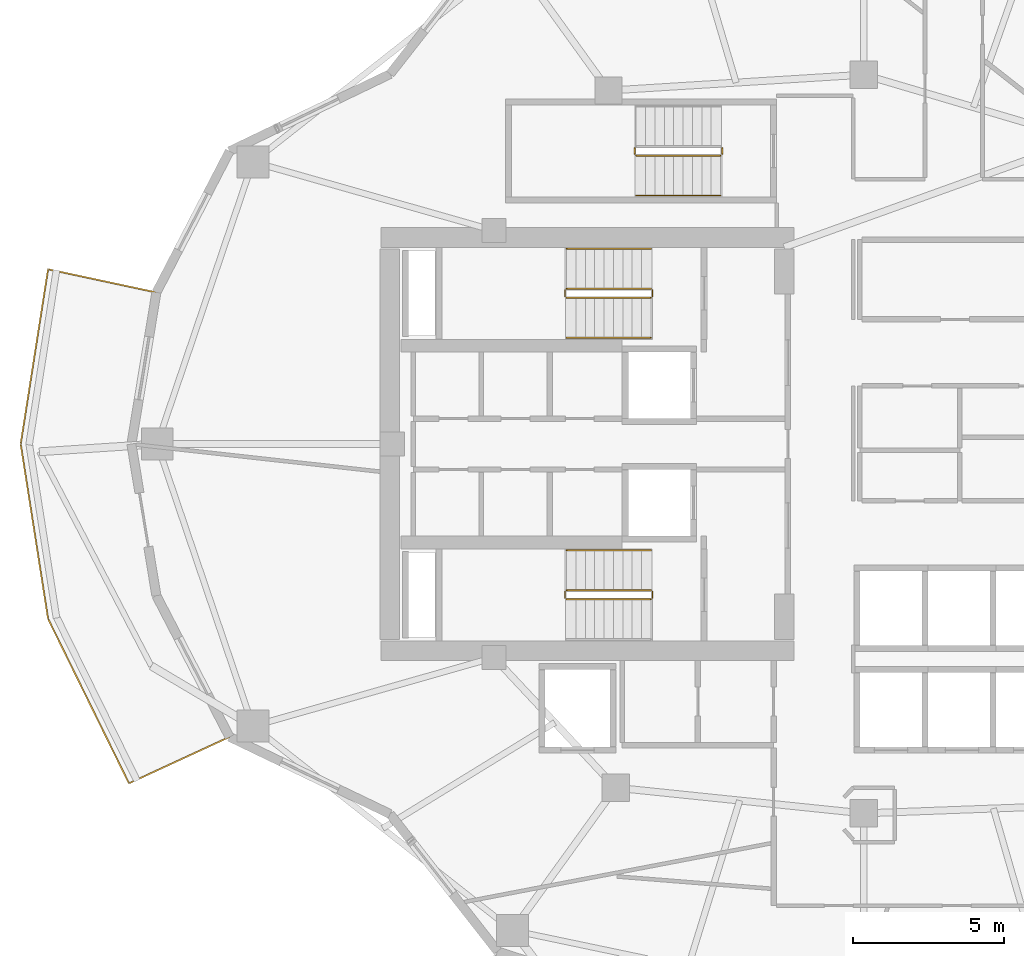
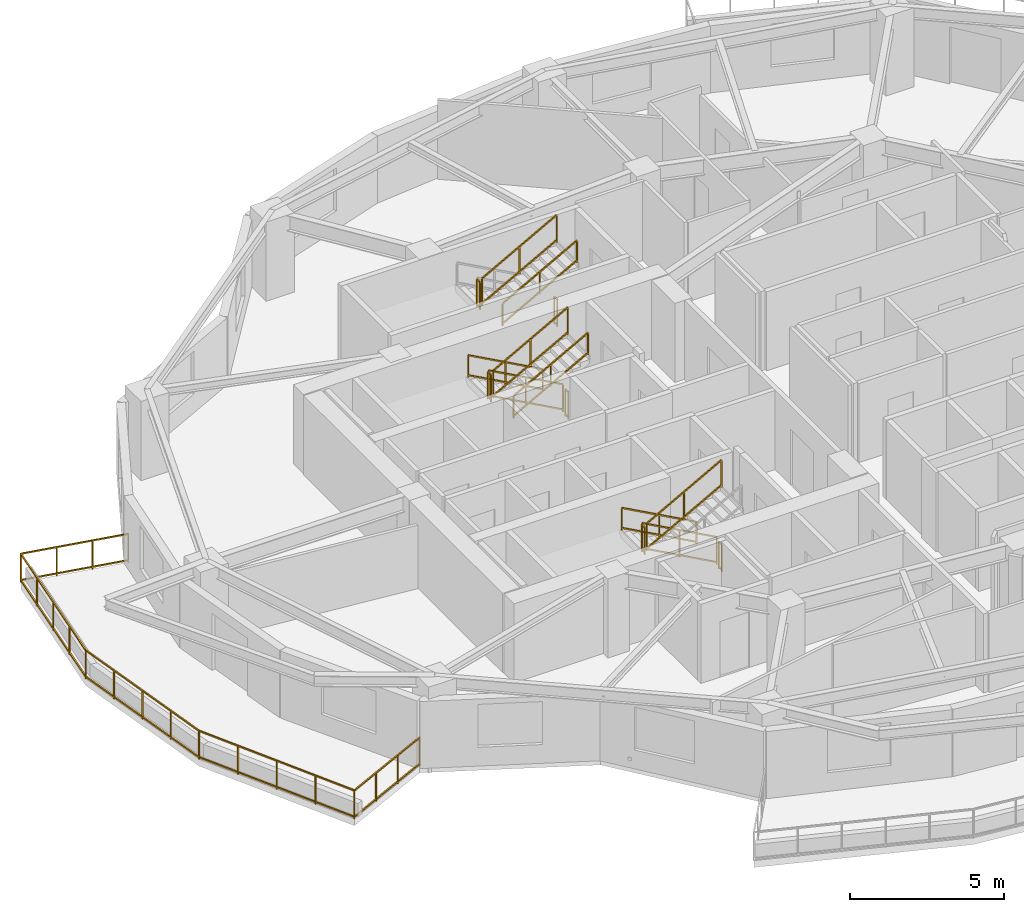
# One storey, part 11 of 14: 16 railings.
"""IFC4 building model written with IfcOpenShell, lengths in metres."""

from ifc_helpers import new_model, si_unit, direction, frame, origin, origin_2d, place, context, subcontext, project, spatial, rectangle, extrude, material, type_object, element, save


model = new_model("IFC4")

# Units and contexts
model_context = context("Model", 3, precision=1e-05, world=origin(), true_north=direction((0.0, 1.0)))
body_context = subcontext(model_context, "Body", "Model", "MODEL_VIEW")
ifc_project = project(units=[si_unit("LENGTHUNIT", "METRE"), si_unit("AREAUNIT", "SQUARE_METRE"), si_unit("VOLUMEUNIT", "CUBIC_METRE"), si_unit("PLANEANGLEUNIT", "RADIAN"), si_unit("MASSUNIT", "GRAM", prefix="KILO")], contexts=[model_context])

# Site, building, storey
site_placement = place(None, origin())
site = spatial("IfcSite", under=ifc_project, at=site_placement, CompositionType="ELEMENT")
building_placement = place(site_placement, origin())
building = spatial("IfcBuilding", under=site, at=building_placement, Name="Kolvaren Gate Tower and Convention Centre", CompositionType="ELEMENT")
storey_placement = place(building_placement, frame((0.0, 0.0, 112.10009765625)))
storey = spatial("IfcBuildingStorey", under=building, at=storey_placement, Name="L27", CompositionType="ELEMENT", Elevation=112.10009765625)

# Railings
ifc_material = material(Name="Brushed Stainless Steel Grade 316L", Category="steel")
railing_type_1 = type_object("IfcRailingType", Name="ARCH-RL-GUARD-1150", PredefinedType="GUARDRAIL", material=ifc_material)
railing_1_placement = place(storey_placement, frame((23.10009765625, 32.1298828125, 0.169921875)))
element("IfcRailing", 1, at=railing_1_placement, inside=storey, type_object=railing_type_1, Name="L27 ST-T1 stair guard 1", PredefinedType="GUARDRAIL", context=body_context, shape_type="SweptSolid", body=[
    extrude(rectangle(XDim=0.048095703125, YDim=0.048095703125, at=origin_2d()), frame((0.0, 0.0, 1.076171875), z_axis=(-0.876811365212, 0.0, 0.480834513982), x_axis=(0.0, -1.0, 0.0)), (0.0, 0.0, 1.0), 3.18212890625),
    extrude(rectangle(XDim=0.048095703125, YDim=0.048095703125, at=origin_2d()), frame((0.0, 0.0, 0.083984375), z_axis=(-0.876811365212, 0.0, 0.480834513982), x_axis=(0.0, -1.0, 0.0)), (0.0, 0.0, 1.0), 3.18212890625),
    extrude(rectangle(XDim=0.0419921875, YDim=0.0419921875, at=origin_2d()), origin(), (0.0, 0.0, 1.0), 1.050048828125),
    extrude(rectangle(XDim=0.0419921875, YDim=0.0419921875, at=origin_2d()), frame((-2.7900390625, 0.0, 1.530029296875)), (0.0, 0.0, 1.0), 1.050048828125),
    extrude(rectangle(XDim=0.0419921875, YDim=0.0419921875, at=origin_2d()), frame((-1.39501953125, 0.0, 0.76513671875)), (0.0, 0.0, 1.0), 1.050048828125),
])
railing_2_placement = place(storey_placement, frame((20.260009765625, 32.080078125, 1.699951171875)))
element("IfcRailing", 2, at=railing_2_placement, inside=storey, type_object=railing_type_1, Name="L27 ST-T1 stair guard 2", PredefinedType="GUARDRAIL", context=body_context, shape_type="SweptSolid", body=[
    extrude(rectangle(XDim=0.048095703125, YDim=0.048095703125, at=origin_2d()), frame((0.0, 0.0, 1.076171875), z_axis=(0.0, -1.0, 0.0), x_axis=(1.0, 0.0, 0.0)), (0.0, 0.0, 1.0), 0.2001953125),
    extrude(rectangle(XDim=0.048095703125, YDim=0.048095703125, at=origin_2d()), frame((0.0, 0.0, 0.083984375), z_axis=(0.0, -1.0, 0.0), x_axis=(1.0, 0.0, 0.0)), (0.0, 0.0, 1.0), 0.2001953125),
    extrude(rectangle(XDim=0.0419921875, YDim=0.0419921875, at=origin_2d()), origin(), (0.0, 0.0, 1.0), 1.050048828125),
    extrude(rectangle(XDim=0.0419921875, YDim=0.0419921875, at=origin_2d()), frame((0.0, -0.2001953125, 0.0)), (0.0, 0.0, 1.0), 1.050048828125),
])
railing_3_placement = place(storey_placement, frame((20.31005859375, 31.830078125, 1.869873046875)))
element("IfcRailing", 3, at=railing_3_placement, inside=storey, type_object=railing_type_1, Name="L27 ST-T1 stair guard 3", PredefinedType="GUARDRAIL", context=body_context, shape_type="SweptSolid", body=[
    extrude(rectangle(XDim=0.048095703125, YDim=0.048095703125, at=origin_2d()), frame((0.0, 0.0, 1.076171875), z_axis=(0.876811365212, 0.0, 0.480834513982), x_axis=(0.0, 1.0, 0.0)), (0.0, 0.0, 1.0), 3.18212890625),
    extrude(rectangle(XDim=0.048095703125, YDim=0.048095703125, at=origin_2d()), frame((0.0, 0.0, 0.083984375), z_axis=(0.876811365212, 0.0, 0.480834513982), x_axis=(0.0, 1.0, 0.0)), (0.0, 0.0, 1.0), 3.18212890625),
    extrude(rectangle(XDim=0.0419921875, YDim=0.0419921875, at=origin_2d()), origin(), (0.0, 0.0, 1.0), 1.050048828125),
    extrude(rectangle(XDim=0.0419921875, YDim=0.0419921875, at=origin_2d()), frame((2.7900390625, 0.0, 1.530029296875)), (0.0, 0.0, 1.0), 1.050048828125),
    extrude(rectangle(XDim=0.0419921875, YDim=0.0419921875, at=origin_2d()), frame((1.39501953125, 0.0, 0.76513671875)), (0.0, 0.0, 1.0), 1.050048828125),
])
railing_4_placement = place(storey_placement, frame((23.14990234375, 32.080078125, 0.0)))
element("IfcRailing", 4, at=railing_4_placement, inside=storey, type_object=railing_type_1, Name="L27 ST-T1 stair guard 4", PredefinedType="GUARDRAIL", context=body_context, shape_type="SweptSolid", body=[
    extrude(rectangle(XDim=0.048095703125, YDim=0.048095703125, at=origin_2d()), frame((0.0, 0.0, 1.076171875), z_axis=(0.0, -1.0, 0.0), x_axis=(1.0, 0.0, 0.0)), (0.0, 0.0, 1.0), 0.2001953125),
    extrude(rectangle(XDim=0.048095703125, YDim=0.048095703125, at=origin_2d()), frame((0.0, 0.0, 0.083984375), z_axis=(0.0, -1.0, 0.0), x_axis=(1.0, 0.0, 0.0)), (0.0, 0.0, 1.0), 0.2001953125),
    extrude(rectangle(XDim=0.0419921875, YDim=0.0419921875, at=origin_2d()), origin(), (0.0, 0.0, 1.0), 1.050048828125),
    extrude(rectangle(XDim=0.0419921875, YDim=0.0419921875, at=origin_2d()), frame((0.0, -0.2001953125, 0.0)), (0.0, 0.0, 1.0), 1.050048828125),
])
railing_5_placement = place(storey_placement, frame((23.10009765625, 22.169921875, 0.169921875)))
element("IfcRailing", 5, at=railing_5_placement, inside=storey, type_object=railing_type_1, Name="L27 ST-T2 stair guard 1", PredefinedType="GUARDRAIL", context=body_context, shape_type="SweptSolid", body=[
    extrude(rectangle(XDim=0.048095703125, YDim=0.048095703125, at=origin_2d()), frame((0.0, 0.0, 1.076171875), z_axis=(-0.876811365212, 0.0, 0.480834513982), x_axis=(0.0, -1.0, 0.0)), (0.0, 0.0, 1.0), 3.18212890625),
    extrude(rectangle(XDim=0.048095703125, YDim=0.048095703125, at=origin_2d()), frame((0.0, 0.0, 0.083984375), z_axis=(-0.876811365212, 0.0, 0.480834513982), x_axis=(0.0, -1.0, 0.0)), (0.0, 0.0, 1.0), 3.18212890625),
    extrude(rectangle(XDim=0.0419921875, YDim=0.0419921875, at=origin_2d()), origin(), (0.0, 0.0, 1.0), 1.050048828125),
    extrude(rectangle(XDim=0.0419921875, YDim=0.0419921875, at=origin_2d()), frame((-2.7900390625, 0.0, 1.530029296875)), (0.0, 0.0, 1.0), 1.050048828125),
    extrude(rectangle(XDim=0.0419921875, YDim=0.0419921875, at=origin_2d()), frame((-1.39501953125, 0.0, 0.76513671875)), (0.0, 0.0, 1.0), 1.050048828125),
])
railing_6_placement = place(storey_placement, frame((20.260009765625, 22.1201171875, 1.699951171875)))
element("IfcRailing", 6, at=railing_6_placement, inside=storey, type_object=railing_type_1, Name="L27 ST-T2 stair guard 2", PredefinedType="GUARDRAIL", context=body_context, shape_type="SweptSolid", body=[
    extrude(rectangle(XDim=0.048095703125, YDim=0.048095703125, at=origin_2d()), frame((0.0, 0.0, 1.076171875), z_axis=(0.0, -1.0, 0.0), x_axis=(1.0, 0.0, 0.0)), (0.0, 0.0, 1.0), 0.2001953125),
    extrude(rectangle(XDim=0.048095703125, YDim=0.048095703125, at=origin_2d()), frame((0.0, 0.0, 0.083984375), z_axis=(0.0, -1.0, 0.0), x_axis=(1.0, 0.0, 0.0)), (0.0, 0.0, 1.0), 0.2001953125),
    extrude(rectangle(XDim=0.0419921875, YDim=0.0419921875, at=origin_2d()), origin(), (0.0, 0.0, 1.0), 1.050048828125),
    extrude(rectangle(XDim=0.0419921875, YDim=0.0419921875, at=origin_2d()), frame((0.0, -0.2001953125, 0.0)), (0.0, 0.0, 1.0), 1.050048828125),
])
railing_7_placement = place(storey_placement, frame((20.31005859375, 21.8701171875, 1.869873046875)))
element("IfcRailing", 7, at=railing_7_placement, inside=storey, type_object=railing_type_1, Name="L27 ST-T2 stair guard 3", PredefinedType="GUARDRAIL", context=body_context, shape_type="SweptSolid", body=[
    extrude(rectangle(XDim=0.048095703125, YDim=0.048095703125, at=origin_2d()), frame((0.0, 0.0, 1.076171875), z_axis=(0.876811365212, 0.0, 0.480834513982), x_axis=(0.0, 1.0, 0.0)), (0.0, 0.0, 1.0), 3.18212890625),
    extrude(rectangle(XDim=0.048095703125, YDim=0.048095703125, at=origin_2d()), frame((0.0, 0.0, 0.083984375), z_axis=(0.876811365212, 0.0, 0.480834513982), x_axis=(0.0, 1.0, 0.0)), (0.0, 0.0, 1.0), 3.18212890625),
    extrude(rectangle(XDim=0.0419921875, YDim=0.0419921875, at=origin_2d()), origin(), (0.0, 0.0, 1.0), 1.050048828125),
    extrude(rectangle(XDim=0.0419921875, YDim=0.0419921875, at=origin_2d()), frame((2.7900390625, 0.0, 1.530029296875)), (0.0, 0.0, 1.0), 1.050048828125),
    extrude(rectangle(XDim=0.0419921875, YDim=0.0419921875, at=origin_2d()), frame((1.39501953125, 0.0, 0.76513671875)), (0.0, 0.0, 1.0), 1.050048828125),
])
railing_8_placement = place(storey_placement, frame((23.14990234375, 22.1201171875, 0.0)))
element("IfcRailing", 8, at=railing_8_placement, inside=storey, type_object=railing_type_1, Name="L27 ST-T2 stair guard 4", PredefinedType="GUARDRAIL", context=body_context, shape_type="SweptSolid", body=[
    extrude(rectangle(XDim=0.048095703125, YDim=0.048095703125, at=origin_2d()), frame((0.0, 0.0, 1.076171875), z_axis=(0.0, -1.0, 0.0), x_axis=(1.0, 0.0, 0.0)), (0.0, 0.0, 1.0), 0.2001953125),
    extrude(rectangle(XDim=0.048095703125, YDim=0.048095703125, at=origin_2d()), frame((0.0, 0.0, 0.083984375), z_axis=(0.0, -1.0, 0.0), x_axis=(1.0, 0.0, 0.0)), (0.0, 0.0, 1.0), 0.2001953125),
    extrude(rectangle(XDim=0.0419921875, YDim=0.0419921875, at=origin_2d()), origin(), (0.0, 0.0, 1.0), 1.050048828125),
    extrude(rectangle(XDim=0.0419921875, YDim=0.0419921875, at=origin_2d()), frame((0.0, -0.2001953125, 0.0)), (0.0, 0.0, 1.0), 1.050048828125),
])
railing_9_placement = place(storey_placement, frame((22.56005859375, 36.780029296875, 1.699951171875)))
element("IfcRailing", 9, at=railing_9_placement, inside=storey, type_object=railing_type_1, Name="L27 ST-T3 stair guard 2", PredefinedType="GUARDRAIL", context=body_context, shape_type="SweptSolid", body=[
    extrude(rectangle(XDim=0.048095703125, YDim=0.048095703125, at=origin_2d()), frame((0.0, 0.0, 1.076171875), z_axis=(0.0, -1.0, 0.0), x_axis=(1.0, 0.0, 0.0)), (0.0, 0.0, 1.0), 0.199951171875),
    extrude(rectangle(XDim=0.048095703125, YDim=0.048095703125, at=origin_2d()), frame((0.0, 0.0, 0.083984375), z_axis=(0.0, -1.0, 0.0), x_axis=(1.0, 0.0, 0.0)), (0.0, 0.0, 1.0), 0.199951171875),
    extrude(rectangle(XDim=0.0419921875, YDim=0.0419921875, at=origin_2d()), origin(), (0.0, 0.0, 1.0), 1.050048828125),
    extrude(rectangle(XDim=0.0419921875, YDim=0.0419921875, at=origin_2d()), frame((0.0, -0.199951171875, 0.0)), (0.0, 0.0, 1.0), 1.050048828125),
])
railing_10_placement = place(storey_placement, frame((22.610107421875, 36.530029296875, 1.869873046875)))
element("IfcRailing", 10, at=railing_10_placement, inside=storey, type_object=railing_type_1, Name="L27 ST-T3 stair guard 3", PredefinedType="GUARDRAIL", context=body_context, shape_type="SweptSolid", body=[
    extrude(rectangle(XDim=0.048095703125, YDim=0.048095703125, at=origin_2d()), frame((0.0, 0.0, 1.076171875), z_axis=(0.8767936245, 0.0, 0.480866863109), x_axis=(0.0, 1.0, 0.0)), (0.0, 0.0, 1.0), 3.181884765625),
    extrude(rectangle(XDim=0.048095703125, YDim=0.048095703125, at=origin_2d()), frame((0.0, 0.0, 0.083984375), z_axis=(0.8767936245, 0.0, 0.480866863109), x_axis=(0.0, 1.0, 0.0)), (0.0, 0.0, 1.0), 3.181884765625),
    extrude(rectangle(XDim=0.0419921875, YDim=0.0419921875, at=origin_2d()), origin(), (0.0, 0.0, 1.0), 1.050048828125),
    extrude(rectangle(XDim=0.0419921875, YDim=0.0419921875, at=origin_2d()), frame((2.789794921875, 0.0, 1.530029296875)), (0.0, 0.0, 1.0), 1.050048828125),
    extrude(rectangle(XDim=0.0419921875, YDim=0.0419921875, at=origin_2d()), frame((1.39501953125, 0.0, 0.76513671875)), (0.0, 0.0, 1.0), 1.050048828125),
])
railing_11_placement = place(storey_placement, frame((25.449951171875, 36.780029296875, 0.0)))
element("IfcRailing", 11, at=railing_11_placement, inside=storey, type_object=railing_type_1, Name="L27 ST-T3 stair guard 4", PredefinedType="GUARDRAIL", context=body_context, shape_type="SweptSolid", body=[
    extrude(rectangle(XDim=0.048095703125, YDim=0.048095703125, at=origin_2d()), frame((0.0, 0.0, 1.076171875), z_axis=(0.0, -1.0, 0.0), x_axis=(1.0, 0.0, 0.0)), (0.0, 0.0, 1.0), 0.199951171875),
    extrude(rectangle(XDim=0.048095703125, YDim=0.048095703125, at=origin_2d()), frame((0.0, 0.0, 0.083984375), z_axis=(0.0, -1.0, 0.0), x_axis=(1.0, 0.0, 0.0)), (0.0, 0.0, 1.0), 0.199951171875),
    extrude(rectangle(XDim=0.0419921875, YDim=0.0419921875, at=origin_2d()), origin(), (0.0, 0.0, 1.0), 1.050048828125),
    extrude(rectangle(XDim=0.0419921875, YDim=0.0419921875, at=origin_2d()), frame((0.0, -0.199951171875, 0.0)), (0.0, 0.0, 1.0), 1.050048828125),
])
railing_12_placement = place(storey_placement, frame((6.76171875, 32.008056640625, 0.0)))
element("IfcRailing", 12, at=railing_12_placement, inside=storey, type_object=railing_type_1, Name="Tower L27 Terrace Perimeter Guardrail GR-2", PredefinedType="GUARDRAIL", context=body_context, shape_type="SweptSolid", body=[
    extrude(rectangle(XDim=0.048095703125, YDim=0.048095703125, at=origin_2d()), frame((-0.02734375, 0.005859375, 1.1259765625), z_axis=(-0.977788745232, 0.209592866525, 0.0), x_axis=(-0.209592866525, -0.977788745232, 0.0)), (0.0, 0.0, 1.0), 3.603759765625),
    extrude(rectangle(XDim=0.048095703125, YDim=0.048095703125, at=origin_2d()), frame((-0.02734375, 0.005859375, 0.083984375), z_axis=(-0.977788745232, 0.209592866525, 0.0), x_axis=(-0.209592866525, -0.977788745232, 0.0)), (0.0, 0.0, 1.0), 3.603759765625),
    extrude(rectangle(XDim=0.048095703125, YDim=0.048095703125, at=origin_2d()), frame((-3.5830078125, 0.739501953125, 1.1259765625), z_axis=(-0.154903030247, -0.987929679289, 0.0), x_axis=(0.987929679289, -0.154903030247, 0.0)), (0.0, 0.0, 1.0), 5.78955078125),
    extrude(rectangle(XDim=0.048095703125, YDim=0.048095703125, at=origin_2d()), frame((-3.5830078125, 0.739501953125, 0.083984375), z_axis=(-0.154903030247, -0.987929679289, 0.0), x_axis=(0.987929679289, -0.154903030247, 0.0)), (0.0, 0.0, 1.0), 5.78955078125),
    extrude(rectangle(XDim=0.048095703125, YDim=0.048095703125, at=origin_2d()), frame((-4.479736328125, -5.03564453125, 1.1259765625), z_axis=(0.154903030247, -0.987929679289, 0.0), x_axis=(0.987929679289, 0.154903030247, 0.0)), (0.0, 0.0, 1.0), 5.78955078125),
    extrude(rectangle(XDim=0.048095703125, YDim=0.048095703125, at=origin_2d()), frame((-4.479736328125, -5.03564453125, 0.083984375), z_axis=(0.154903030247, -0.987929679289, 0.0), x_axis=(0.987929679289, 0.154903030247, 0.0)), (0.0, 0.0, 1.0), 5.78955078125),
    extrude(rectangle(XDim=0.048095703125, YDim=0.048095703125, at=origin_2d()), frame((-3.566162109375, -10.808349609375, 1.1259765625), z_axis=(0.441237167293, -0.897390529368, 0.0), x_axis=(0.897390529368, 0.441237167293, 0.0)), (0.0, 0.0, 1.0), 5.999755859375),
    extrude(rectangle(XDim=0.048095703125, YDim=0.048095703125, at=origin_2d()), frame((-3.566162109375, -10.808349609375, 0.083984375), z_axis=(0.441237167293, -0.897390529368, 0.0), x_axis=(0.897390529368, 0.441237167293, 0.0)), (0.0, 0.0, 1.0), 5.999755859375),
    extrude(rectangle(XDim=0.048095703125, YDim=0.048095703125, at=origin_2d()), frame((-0.881103515625, -16.2060546875, 1.1259765625), z_axis=(0.907846116663, 0.419303503993, 0.0), x_axis=(-0.419303503993, 0.907846116663, 0.0)), (0.0, 0.0, 1.0), 3.60400390625),
    extrude(rectangle(XDim=0.048095703125, YDim=0.048095703125, at=origin_2d()), frame((-0.881103515625, -16.2060546875, 0.083984375), z_axis=(0.907846116663, 0.419303503993, 0.0), x_axis=(-0.419303503993, 0.907846116663, 0.0)), (0.0, 0.0, 1.0), 3.60400390625),
    extrude(rectangle(XDim=0.0419921875, YDim=0.0419921875, at=origin_2d()), origin(), (0.0, 0.0, 1.0), 1.14990234375),
    extrude(rectangle(XDim=0.0419921875, YDim=0.0419921875, at=origin_2d()), frame((-3.57861328125, 0.76708984375, 0.0)), (0.0, 0.0, 1.0), 1.14990234375),
    extrude(rectangle(XDim=0.0419921875, YDim=0.0419921875, at=origin_2d()), frame((-1.19287109375, 0.255615234375, 0.0)), (0.0, 0.0, 1.0), 1.099853515625),
    extrude(rectangle(XDim=0.0419921875, YDim=0.0419921875, at=origin_2d()), frame((-2.3857421875, 0.511474609375, 0.0)), (0.0, 0.0, 1.0), 1.099853515625),
    extrude(rectangle(XDim=0.0419921875, YDim=0.0419921875, at=origin_2d()), frame((-4.484130859375, -5.008056640625, 0.0)), (0.0, 0.0, 1.0), 1.14990234375),
    extrude(rectangle(XDim=0.0419921875, YDim=0.0419921875, at=origin_2d()), frame((-3.804931640625, -0.6767578125, 0.0)), (0.0, 0.0, 1.0), 1.099853515625),
    extrude(rectangle(XDim=0.0419921875, YDim=0.0419921875, at=origin_2d()), frame((-4.03125, -2.12060546875, 0.0)), (0.0, 0.0, 1.0), 1.099853515625),
    extrude(rectangle(XDim=0.0419921875, YDim=0.0419921875, at=origin_2d()), frame((-4.2578125, -3.564208984375, 0.0)), (0.0, 0.0, 1.0), 1.099853515625),
    extrude(rectangle(XDim=0.0419921875, YDim=0.0419921875, at=origin_2d()), frame((-3.57861328125, -10.783203125, 0.0)), (0.0, 0.0, 1.0), 1.14990234375),
    extrude(rectangle(XDim=0.0419921875, YDim=0.0419921875, at=origin_2d()), frame((-4.2578125, -6.451904296875, 0.0)), (0.0, 0.0, 1.0), 1.099853515625),
    extrude(rectangle(XDim=0.0419921875, YDim=0.0419921875, at=origin_2d()), frame((-4.03125, -7.8955078125, 0.0)), (0.0, 0.0, 1.0), 1.099853515625),
    extrude(rectangle(XDim=0.0419921875, YDim=0.0419921875, at=origin_2d()), frame((-3.804931640625, -9.33935546875, 0.0)), (0.0, 0.0, 1.0), 1.099853515625),
    extrude(rectangle(XDim=0.0419921875, YDim=0.0419921875, at=origin_2d()), frame((-0.906494140625, -16.2177734375, 0.0)), (0.0, 0.0, 1.0), 1.14990234375),
    extrude(rectangle(XDim=0.0419921875, YDim=0.0419921875, at=origin_2d()), frame((-2.91064453125, -12.141845703125, 0.0)), (0.0, 0.0, 1.0), 1.099853515625),
    extrude(rectangle(XDim=0.0419921875, YDim=0.0419921875, at=origin_2d()), frame((-2.24267578125, -13.50048828125, 0.0)), (0.0, 0.0, 1.0), 1.099853515625),
    extrude(rectangle(XDim=0.0419921875, YDim=0.0419921875, at=origin_2d()), frame((-1.574462890625, -14.859130859375, 0.0)), (0.0, 0.0, 1.0), 1.099853515625),
    extrude(rectangle(XDim=0.0419921875, YDim=0.0419921875, at=origin_2d()), frame((2.416259765625, -14.68310546875, 0.0)), (0.0, 0.0, 1.0), 1.14990234375),
    extrude(rectangle(XDim=0.0419921875, YDim=0.0419921875, at=origin_2d()), frame((0.201171875, -15.706298828125, 0.0)), (0.0, 0.0, 1.0), 1.099853515625),
    extrude(rectangle(XDim=0.0419921875, YDim=0.0419921875, at=origin_2d()), frame((1.30859375, -15.194580078125, 0.0)), (0.0, 0.0, 1.0), 1.099853515625),
])
railing_type_2 = type_object("IfcRailingType", Name="ARCH-RL-HANDRAIL-920", PredefinedType="HANDRAIL", material=ifc_material)
railing_13_placement = place(storey_placement, frame((23.10009765625, 33.449951171875, 0.169921875)))
element("IfcRailing", 13, at=railing_13_placement, inside=storey, type_object=railing_type_2, Name="L27 ST-T1 stair handrail 1", PredefinedType="HANDRAIL", context=body_context, shape_type="SweptSolid", body=[
    extrude(rectangle(XDim=0.048095703125, YDim=0.048095703125, at=origin_2d()), frame((0.0, 0.0, 0.8759765625), z_axis=(-0.876811365212, 0.0, 0.480834513982), x_axis=(0.0, -1.0, 0.0)), (0.0, 0.0, 1.0), 3.18212890625),
    extrude(rectangle(XDim=0.048095703125, YDim=0.048095703125, at=origin_2d()), frame((0.0, 0.0, 0.083984375), z_axis=(-0.876811365212, 0.0, 0.480834513982), x_axis=(0.0, -1.0, 0.0)), (0.0, 0.0, 1.0), 3.18212890625),
    extrude(rectangle(XDim=0.0419921875, YDim=0.0419921875, at=origin_2d()), origin(), (0.0, 0.0, 1.0), 0.849853515625),
    extrude(rectangle(XDim=0.0419921875, YDim=0.0419921875, at=origin_2d()), frame((-2.7900390625, 0.0, 1.530029296875)), (0.0, 0.0, 1.0), 0.849853515625),
    extrude(rectangle(XDim=0.0419921875, YDim=0.0419921875, at=origin_2d()), frame((-1.39501953125, 0.0, 0.76513671875)), (0.0, 0.0, 1.0), 0.849853515625),
])
railing_14_placement = place(storey_placement, frame((20.31005859375, 30.510009765625, 1.869873046875)))
element("IfcRailing", 14, at=railing_14_placement, inside=storey, type_object=railing_type_2, Name="L27 ST-T1 stair handrail 2", PredefinedType="HANDRAIL", context=body_context, shape_type="SweptSolid", body=[
    extrude(rectangle(XDim=0.048095703125, YDim=0.048095703125, at=origin_2d()), frame((0.0, 0.0, 0.8759765625), z_axis=(0.876811365212, 0.0, 0.480834513982), x_axis=(0.0, 1.0, 0.0)), (0.0, 0.0, 1.0), 3.18212890625),
    extrude(rectangle(XDim=0.048095703125, YDim=0.048095703125, at=origin_2d()), frame((0.0, 0.0, 0.083984375), z_axis=(0.876811365212, 0.0, 0.480834513982), x_axis=(0.0, 1.0, 0.0)), (0.0, 0.0, 1.0), 3.18212890625),
    extrude(rectangle(XDim=0.0419921875, YDim=0.0419921875, at=origin_2d()), origin(), (0.0, 0.0, 1.0), 0.849853515625),
    extrude(rectangle(XDim=0.0419921875, YDim=0.0419921875, at=origin_2d()), frame((2.7900390625, 0.0, 1.530029296875)), (0.0, 0.0, 1.0), 0.849853515625),
    extrude(rectangle(XDim=0.0419921875, YDim=0.0419921875, at=origin_2d()), frame((1.39501953125, 0.0, 0.76513671875)), (0.0, 0.0, 1.0), 0.849853515625),
])
railing_15_placement = place(storey_placement, frame((23.10009765625, 23.489990234375, 0.169921875)))
element("IfcRailing", 15, at=railing_15_placement, inside=storey, type_object=railing_type_2, Name="L27 ST-T2 stair handrail 1", PredefinedType="HANDRAIL", context=body_context, shape_type="SweptSolid", body=[
    extrude(rectangle(XDim=0.048095703125, YDim=0.048095703125, at=origin_2d()), frame((0.0, 0.0, 0.8759765625), z_axis=(-0.876811365212, 0.0, 0.480834513982), x_axis=(0.0, -1.0, 0.0)), (0.0, 0.0, 1.0), 3.18212890625),
    extrude(rectangle(XDim=0.048095703125, YDim=0.048095703125, at=origin_2d()), frame((0.0, 0.0, 0.083984375), z_axis=(-0.876811365212, 0.0, 0.480834513982), x_axis=(0.0, -1.0, 0.0)), (0.0, 0.0, 1.0), 3.18212890625),
    extrude(rectangle(XDim=0.0419921875, YDim=0.0419921875, at=origin_2d()), origin(), (0.0, 0.0, 1.0), 0.849853515625),
    extrude(rectangle(XDim=0.0419921875, YDim=0.0419921875, at=origin_2d()), frame((-2.7900390625, 0.0, 1.530029296875)), (0.0, 0.0, 1.0), 0.849853515625),
    extrude(rectangle(XDim=0.0419921875, YDim=0.0419921875, at=origin_2d()), frame((-1.39501953125, 0.0, 0.76513671875)), (0.0, 0.0, 1.0), 0.849853515625),
])
railing_16_placement = place(storey_placement, frame((22.610107421875, 35.2099609375, 1.869873046875)))
element("IfcRailing", 16, at=railing_16_placement, inside=storey, type_object=railing_type_2, Name="L27 ST-T3 stair handrail 2", PredefinedType="HANDRAIL", context=body_context, shape_type="SweptSolid", body=[
    extrude(rectangle(XDim=0.048095703125, YDim=0.048095703125, at=origin_2d()), frame((0.0, 0.0, 0.8759765625), z_axis=(0.8767936245, 0.0, 0.480866863109), x_axis=(0.0, 1.0, 0.0)), (0.0, 0.0, 1.0), 3.181884765625),
    extrude(rectangle(XDim=0.048095703125, YDim=0.048095703125, at=origin_2d()), frame((0.0, 0.0, 0.083984375), z_axis=(0.8767936245, 0.0, 0.480866863109), x_axis=(0.0, 1.0, 0.0)), (0.0, 0.0, 1.0), 3.181884765625),
    extrude(rectangle(XDim=0.0419921875, YDim=0.0419921875, at=origin_2d()), origin(), (0.0, 0.0, 1.0), 0.849853515625),
    extrude(rectangle(XDim=0.0419921875, YDim=0.0419921875, at=origin_2d()), frame((2.789794921875, 0.0, 1.530029296875)), (0.0, 0.0, 1.0), 0.849853515625),
    extrude(rectangle(XDim=0.0419921875, YDim=0.0419921875, at=origin_2d()), frame((1.39501953125, 0.0, 0.76513671875)), (0.0, 0.0, 1.0), 0.849853515625),
])

save(model, "model.ifc")
